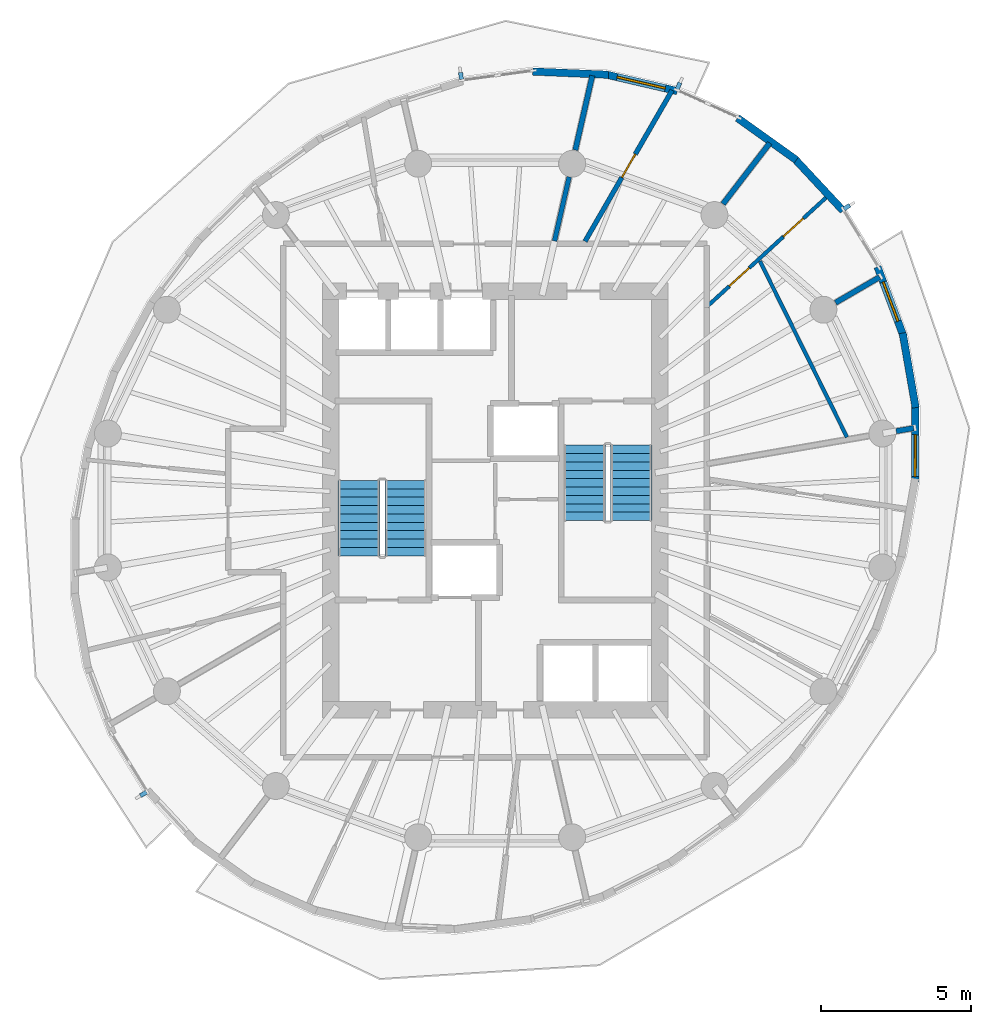
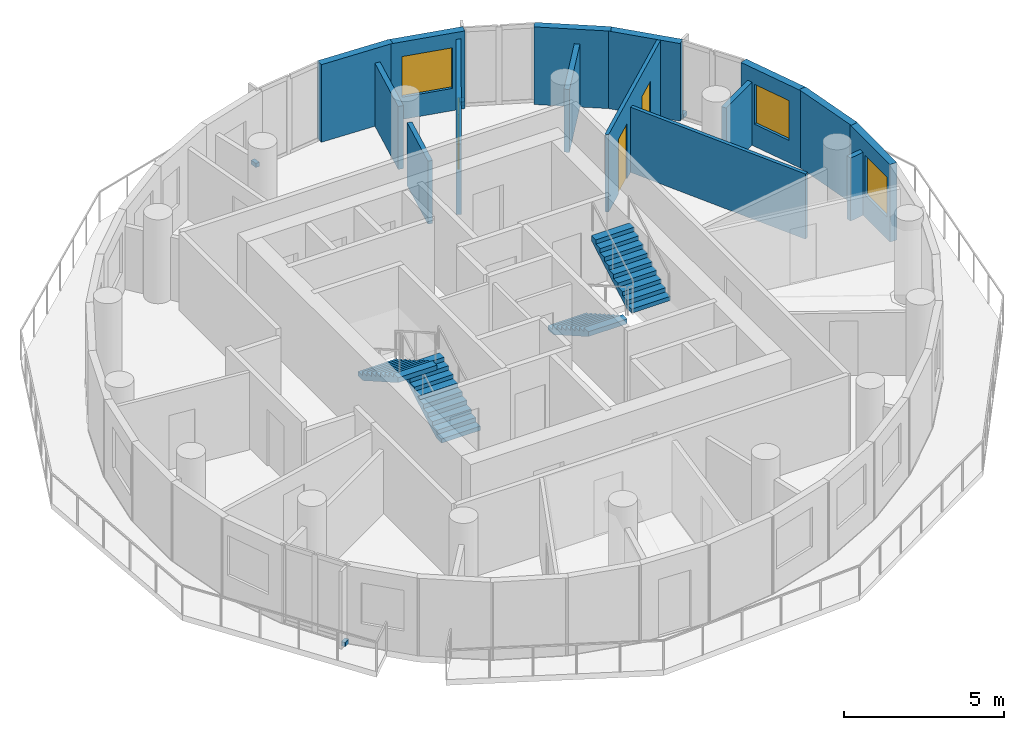
# One storey, part 7 of 10: 15 walls, 4 discrete accessories, 4 stair flights, 3 doors, 3 windows, 6 openings, 2 elements without a shape of their own.
"""IFC4 building model written with IfcOpenShell, lengths in metres."""

from ifc_helpers import new_model, si_unit, direction, frame, frame_2d, origin, origin_2d, place, context, subcontext, project, spatial, polyline, rectangle, outline, extrude, material, layer, layer_set, type_object, element, fill, aggregate, save


model = new_model("IFC4")

# Units and contexts
model_context = context("Model", 3, precision=1e-05, world=origin(), true_north=direction((0.0, 1.0)))
body_context = subcontext(model_context, "Body", "Model", "MODEL_VIEW")
ifc_project = project(units=[si_unit("LENGTHUNIT", "METRE"), si_unit("AREAUNIT", "SQUARE_METRE"), si_unit("VOLUMEUNIT", "CUBIC_METRE"), si_unit("PLANEANGLEUNIT", "RADIAN"), si_unit("MASSUNIT", "GRAM", prefix="KILO")], contexts=[model_context])

# Site, building, storey
site_placement = place(None, origin())
site = spatial("IfcSite", under=ifc_project, at=site_placement, CompositionType="ELEMENT")
building_placement = place(site_placement, origin())
building = spatial("IfcBuilding", under=site, at=building_placement, Name="Veldorim Arch Residences", CompositionType="ELEMENT")
storey_placement = place(building_placement, frame((0.0, 0.0, 198.239990234375)))
storey = spatial("IfcBuildingStorey", under=building, at=storey_placement, Name="L59", CompositionType="ELEMENT", Elevation=198.239990234375)

# Wall, openings, doors
ifc_material_1 = material(Name="Acoustic Gypsum Board", Category="gypsum")
ifc_layer_1 = layer(ifc_material_1, 0.125, Name="Acoustic Stud Room Partition Wall 125")
ifc_layer_set_1 = layer_set([ifc_layer_1], Name="Acoustic Gypsum Board")
wall_type_1 = type_object("IfcWallType", Name="Acoustic Stud Room Partition Wall 125", PredefinedType="PARTITIONING", material=ifc_layer_set_1)
wall_1_placement = place(storey_placement, frame((43.140380859375, 34.198486328125, 0.0), z_axis=(0.0, 0.0, 1.0), x_axis=(-0.737575567473, -0.675264601668, 0.0)))
wall_1 = element("IfcWall", 1, at=wall_1_placement, inside=storey, type_object=wall_type_1, Name="L59 interior wall WL-RES-L59-019", PredefinedType="PARTITIONING", context=body_context, shape_type="SweptSolid", body=[
    extrude(rectangle(XDim=5.5048828125, YDim=0.125, at=frame_2d((2.75244140625, 0.0))), origin(), (0.0, 0.0, 1.0), 2.955078125),
])
opening_1_placement = place(wall_1_placement, frame((1.13330078125, 0.0, 0.0)))
opening_1 = element("IfcOpeningElement", 2, at=opening_1_placement, cuts=wall_1, Name="Opening DR-INT", PredefinedType="OPENING", context=body_context, shape_type="SweptSolid", body=[
    extrude(rectangle(XDim=0.89990234375, YDim=2.10009765625, at=frame_2d((0.449951171875, 1.050048828125))), frame((0.0, 0.072509765625, 0.0), z_axis=(0.0, -1.0, 0.0), x_axis=(1.0, 0.0, 0.0)), (0.0, 0.0, 1.0), 0.14501953125),
])
opening_2_placement = place(wall_1_placement, frame((3.58544921875, 0.0, 0.0)))
opening_2 = element("IfcOpeningElement", 3, at=opening_2_placement, cuts=wall_1, Name="Opening DR-INT", PredefinedType="OPENING", context=body_context, shape_type="SweptSolid", body=[
    extrude(rectangle(XDim=0.89990234375, YDim=2.10009765625, at=frame_2d((0.449951171875, 1.050048828125))), frame((0.0, 0.072509765625, 0.0), z_axis=(0.0, -1.0, 0.0), x_axis=(1.0, 0.0, 0.0)), (0.0, 0.0, 1.0), 0.14501953125),
])
ifc_material_2 = material(Name="Engineered Timber", Category="wood")
door_type_1 = type_object("IfcDoorType", Name="Apartment Internal Room Timber Door 900x2100", OperationType="SINGLE_SWING_LEFT", PredefinedType="DOOR", material=ifc_material_2)
door_1_placement = place(opening_1_placement, origin())
door_1 = element("IfcDoor", 4, at=door_1_placement, inside=storey, type_object=door_type_1, Name="L59 interior door DR-RES-L59-009", OperationType="SINGLE_SWING_LEFT", OverallHeight=2.10009765625, OverallWidth=0.89990234375, PredefinedType="DOOR", context=body_context, shape_type="SweptSolid", body=[
    extrude(rectangle(XDim=0.89990234375, YDim=2.10009765625, at=frame_2d((0.449951171875, 1.050048828125))), frame((0.0, 0.02490234375, 0.0), z_axis=(0.0, -1.0, 0.0), x_axis=(1.0, 0.0, 0.0)), (0.0, 0.0, 1.0), 0.050048828125),
])
fill(opening_1, door_1)
door_2_placement = place(opening_2_placement, origin())
door_2 = element("IfcDoor", 5, at=door_2_placement, inside=storey, type_object=door_type_1, Name="L59 interior door DR-RES-L59-010", OperationType="SINGLE_SWING_RIGHT", OverallHeight=2.10009765625, OverallWidth=0.89990234375, PredefinedType="DOOR", context=body_context, shape_type="SweptSolid", body=[
    extrude(rectangle(XDim=0.89990234375, YDim=2.10009765625, at=frame_2d((0.449951171875, 1.050048828125))), frame((0.0, 0.02490234375, 0.0), z_axis=(0.0, -1.0, 0.0), x_axis=(1.0, 0.0, 0.0)), (0.0, 0.0, 1.0), 0.050048828125),
])
fill(opening_2, door_2)

# Walls
wall_2_placement = place(storey_placement, frame((43.7666015625, 26.11328125, 0.0), z_axis=(0.0, 0.0, 1.0), x_axis=(-0.443135854585, 0.89645446866, 0.0)))
element("IfcWall", 6, at=wall_2_placement, inside=storey, type_object=wall_type_1, Name="L59 interior wall WL-RES-L59-021", PredefinedType="PARTITIONING", context=body_context, shape_type="SweptSolid", body=[
    extrude(rectangle(XDim=6.5693359375, YDim=0.125, at=frame_2d((3.28466796875, 0.0))), origin(), (0.0, 0.0, 1.0), 2.488037109375),
])
ifc_material_3 = material(Name="Lightweight Masonry Block & Gypsum", Category="masonry")
ifc_layer_2 = layer(ifc_material_3, 0.179931640625, Name="Compartment & Corridor Fire-Rated Party Wall 180")
ifc_layer_set_2 = layer_set([ifc_layer_2], Name="Lightweight Masonry Block & Gypsum")
wall_type_2 = type_object("IfcWallType", Name="Compartment & Corridor Fire-Rated Party Wall 180", PredefinedType="PARTITIONING", material=ifc_layer_set_2)
wall_3_placement = place(storey_placement, frame((45.409423828125, 26.319580078125, 0.0), z_axis=(0.0, 0.0, 1.0), x_axis=(0.985338517658, 0.170610684362, 0.0)))
element("IfcWall", 7, at=wall_3_placement, inside=storey, type_object=wall_type_2, Name="L59 interior wall WL-PIER-L59-01", PredefinedType="PARTITIONING", context=body_context, shape_type="SweptSolid", body=[
    extrude(rectangle(XDim=0.592529296875, YDim=0.179931640625, at=frame_2d((0.29638671875, 0.0))), origin(), (0.0, 0.0, 1.0), 2.4033203125),
])
wall_4_placement = place(storey_placement, frame((43.3818359375, 30.614013671875, 0.0), z_axis=(0.0, 0.0, 1.0), x_axis=(0.864618511529, 0.502428929821, 0.0)))
element("IfcWall", 8, at=wall_4_placement, inside=storey, type_object=wall_type_2, Name="L59 interior wall WL-PIER-L59-02", PredefinedType="PARTITIONING", context=body_context, shape_type="SweptSolid", body=[
    extrude(rectangle(XDim=1.7060546875, YDim=0.179931640625, at=frame_2d((0.85302734375, 0.0))), origin(), (0.0, 0.0, 1.0), 2.4033203125),
])
wall_5_placement = place(storey_placement, frame((39.619873046875, 33.91796875, 0.0), z_axis=(0.0, 0.0, 1.0), x_axis=(0.60921849036, 0.79300241551, 0.0)))
element("IfcWall", 9, at=wall_5_placement, inside=storey, type_object=wall_type_2, Name="L59 interior wall WL-PIER-L59-03", PredefinedType="PARTITIONING", context=body_context, shape_type="SweptSolid", body=[
    extrude(rectangle(XDim=2.565185546875, YDim=0.179931640625, at=frame_2d((1.28271484375, 0.0))), origin(), (0.0, 0.0, 1.0), 2.4033203125),
])
wall_6_placement = place(storey_placement, frame((34.679931640625, 35.717529296875, 0.0), z_axis=(0.0, 0.0, 1.0), x_axis=(0.22299363946, 0.974819899654, 0.0)))
element("IfcWall", 10, at=wall_6_placement, inside=storey, type_object=wall_type_2, Name="L59 interior wall WL-PIER-L59-04", PredefinedType="PARTITIONING", context=body_context, shape_type="SweptSolid", body=[
    extrude(rectangle(XDim=2.552001953125, YDim=0.179931640625, at=frame_2d((1.27587890625, 0.0))), origin(), (0.0, 0.0, 1.0), 2.4033203125),
])
ifc_material_4 = material(Name="Precast concrete C40/50", Category="concrete")
ifc_layer_3 = layer(ifc_material_4, 0.25, Name="Tower Terracotta Spandrel & Pier Wall 250")
ifc_layer_set_3 = layer_set([ifc_layer_3], Name="Precast concrete C40/50")
wall_type_3 = type_object("IfcWallType", Name="Tower Terracotta Spandrel & Pier Wall 250", PredefinedType="SOLIDWALL", material=ifc_layer_set_3)
wall_7_placement = place(storey_placement, frame((40.106201171875, 36.788330078125, 0.0), z_axis=(0.0, 0.0, 1.0), x_axis=(0.813794949485, -0.581152114504, 0.0)))
element("IfcWall", 11, at=wall_7_placement, inside=storey, type_object=wall_type_3, Name="L59 terracotta facade wall 01", PredefinedType="SOLIDWALL", context=body_context, shape_type="SweptSolid", body=[
    extrude(rectangle(XDim=2.414794921875, YDim=0.25, at=frame_2d((1.20751953125, 0.0))), origin(), (0.0, 0.0, 1.0), 2.9599609375),
])

# Wall, opening, window
wall_8_placement = place(storey_placement, frame((35.676025390625, 38.252685546875, 0.0), z_axis=(0.0, 0.0, 1.0), x_axis=(0.974096425092, -0.226133046286, 0.0)))
wall_8 = element("IfcWall", 12, at=wall_8_placement, inside=storey, type_object=wall_type_3, Name="L59 terracotta facade wall 03", PredefinedType="SOLIDWALL", context=body_context, shape_type="SweptSolid", body=[
    extrude(rectangle(XDim=2.477783203125, YDim=0.25, at=frame_2d((1.23876953125, 0.0))), origin(), (0.0, 0.0, 1.0), 2.9599609375),
])
opening_3_placement = place(wall_8_placement, frame((0.4140625, 0.0, 0.85009765625)))
opening_3 = element("IfcOpeningElement", 13, at=opening_3_placement, cuts=wall_8, Name="Opening WN-03", PredefinedType="OPENING", context=body_context, shape_type="SweptSolid", body=[
    extrude(rectangle(XDim=1.64990234375, YDim=1.550048828125, at=frame_2d((0.824951171875, 0.77490234375))), frame((0.0, 0.135009765625, 0.0), z_axis=(0.0, -1.0, 0.0), x_axis=(1.0, 0.0, 0.0)), (0.0, 0.0, 1.0), 0.27001953125),
])
ifc_material_5 = material(Name="Laminated Low-E Glass", Category="glass")
window_type_1 = type_object("IfcWindowType", Name="Residential Wide Window 1650x1550", PartitioningType="SINGLE_PANEL", PredefinedType="WINDOW", material=ifc_material_5)
window_1_placement = place(opening_3_placement, origin())
window_1 = element("IfcWindow", 14, at=window_1_placement, inside=storey, type_object=window_type_1, Name="L59 solar-control facade window 03", OverallHeight=1.550048828125, OverallWidth=1.64990234375, PartitioningType="SINGLE_PANEL", PredefinedType="WINDOW", context=body_context, shape_type="SweptSolid", body=[
    extrude(rectangle(XDim=1.64990234375, YDim=1.550048828125, at=frame_2d((0.824951171875, 0.77490234375))), frame((0.0, 0.030029296875, 0.0), z_axis=(0.0, -1.0, 0.0), x_axis=(1.0, 0.0, 0.0)), (0.0, 0.0, 1.0), 0.06005859375),
])
fill(opening_3, window_1)

# Wall
wall_9_placement = place(storey_placement, frame((33.258056640625, 38.344970703125, 0.0), z_axis=(0.0, 0.0, 1.0), x_axis=(0.999099670747, -0.042424614469, 0.0)))
element("IfcWall", 15, at=wall_9_placement, inside=storey, type_object=wall_type_3, Name="L59 terracotta facade wall 04", PredefinedType="SOLIDWALL", context=body_context, shape_type="SweptSolid", body=[
    extrude(rectangle(XDim=2.531982421875, YDim=0.25, at=frame_2d((1.26611328125, 0.0))), origin(), (0.0, 0.0, 1.0), 2.9599609375),
])

# Wall, opening, window
wall_10_placement = place(storey_placement, frame((46.052001953125, 27.21630859375, 0.0), z_axis=(0.0, 0.0, 1.0), x_axis=(-0.004803561421, -0.999988462832, 0.0)))
wall_10 = element("IfcWall", 16, at=wall_10_placement, inside=storey, type_object=wall_type_3, Name="L59 terracotta facade wall 32", PredefinedType="SOLIDWALL", context=body_context, shape_type="SweptSolid", body=[
    extrude(rectangle(XDim=2.592041015625, YDim=0.25, at=frame_2d((1.2958984375, 0.0))), origin(), (0.0, 0.0, 1.0), 2.9599609375),
])
opening_4_placement = place(wall_10_placement, frame((1.01708984375, 0.0, 0.85009765625)))
opening_4 = element("IfcOpeningElement", 17, at=opening_4_placement, cuts=wall_10, Name="Opening WN-02", PredefinedType="OPENING", context=body_context, shape_type="SweptSolid", body=[
    extrude(rectangle(XDim=1.39990234375, YDim=1.52001953125, at=frame_2d((0.699951171875, 0.760009765625))), frame((0.0, 0.135009765625, 0.0), z_axis=(0.0, -1.0, 0.0), x_axis=(1.0, 0.0, 0.0)), (0.0, 0.0, 1.0), 0.27001953125),
])
ifc_material_6 = material(Name="Laminated Low-E Glass", Category="glass")
window_type_2 = type_object("IfcWindowType", Name="Residential Casement Window 1400x1550", PartitioningType="SINGLE_PANEL", PredefinedType="WINDOW", material=ifc_material_6)
window_2_placement = place(opening_4_placement, origin())
window_2 = element("IfcWindow", 18, at=window_2_placement, inside=storey, type_object=window_type_2, Name="L59 solar-control facade window 32", OverallHeight=1.52001953125, OverallWidth=1.39990234375, PartitioningType="SINGLE_PANEL", PredefinedType="WINDOW", context=body_context, shape_type="SweptSolid", body=[
    extrude(rectangle(XDim=1.39990234375, YDim=1.52001953125, at=frame_2d((0.699951171875, 0.760009765625))), frame((0.0, 0.030029296875, 0.0), z_axis=(0.0, -1.0, 0.0), x_axis=(1.0, 0.0, 0.0)), (0.0, 0.0, 1.0), 0.06005859375),
])
fill(opening_4, window_2)

# Wall
wall_11_placement = place(storey_placement, frame((45.627197265625, 29.599609375, 0.0), z_axis=(0.0, 0.0, 1.0), x_axis=(0.17143069214, -0.985196182388, 0.0)))
element("IfcWall", 19, at=wall_11_placement, inside=storey, type_object=wall_type_3, Name="L59 terracotta facade wall 33", PredefinedType="SOLIDWALL", context=body_context, shape_type="SweptSolid", body=[
    extrude(rectangle(XDim=2.5322265625, YDim=0.25, at=frame_2d((1.26611328125, 0.0))), origin(), (0.0, 0.0, 1.0), 2.9599609375),
])

# Wall, opening, window
wall_12_placement = place(storey_placement, frame((44.78857421875, 31.811279296875, 0.0), z_axis=(0.0, 0.0, 1.0), x_axis=(0.350367491805, -0.93661231077, 0.0)))
wall_12 = element("IfcWall", 20, at=wall_12_placement, inside=storey, type_object=wall_type_3, Name="L59 terracotta facade wall 34", PredefinedType="SOLIDWALL", context=body_context, shape_type="SweptSolid", body=[
    extrude(rectangle(XDim=2.477783203125, YDim=0.25, at=frame_2d((1.23876953125, 0.0))), origin(), (0.0, 0.0, 1.0), 2.9599609375),
])
opening_5_placement = place(wall_12_placement, frame((0.5390625, 0.0, 0.85009765625)))
opening_5 = element("IfcOpeningElement", 21, at=opening_5_placement, cuts=wall_12, Name="Opening WN-02", PredefinedType="OPENING", context=body_context, shape_type="SweptSolid", body=[
    extrude(rectangle(XDim=1.39990234375, YDim=1.52001953125, at=frame_2d((0.699951171875, 0.760009765625))), frame((0.0, 0.135009765625, 0.0), z_axis=(0.0, -1.0, 0.0), x_axis=(1.0, 0.0, 0.0)), (0.0, 0.0, 1.0), 0.27001953125),
])
window_3_placement = place(opening_5_placement, origin())
window_3 = element("IfcWindow", 22, at=window_3_placement, inside=storey, type_object=window_type_2, Name="L59 solar-control facade window 34", OverallHeight=1.52001953125, OverallWidth=1.39990234375, PartitioningType="SINGLE_PANEL", PredefinedType="WINDOW", context=body_context, shape_type="SweptSolid", body=[
    extrude(rectangle(XDim=1.39990234375, YDim=1.52001953125, at=frame_2d((0.699951171875, 0.760009765625))), frame((0.0, 0.030029296875, 0.0), z_axis=(0.0, -1.0, 0.0), x_axis=(1.0, 0.0, 0.0)), (0.0, 0.0, 1.0), 0.06005859375),
])
fill(opening_5, window_3)

# Wall
wall_13_placement = place(storey_placement, frame((41.985107421875, 35.460693359375, 0.0), z_axis=(0.0, 0.0, 1.0), x_axis=(0.681640731319, -0.731687032417, 0.0)))
element("IfcWall", 23, at=wall_13_placement, inside=storey, type_object=wall_type_3, Name="L59 terracotta facade wall 36", PredefinedType="SOLIDWALL", context=body_context, shape_type="SweptSolid", body=[
    extrude(rectangle(XDim=2.414794921875, YDim=0.25, at=frame_2d((1.20751953125, 0.0))), origin(), (0.0, 0.0, 1.0), 2.9599609375),
])

# Wall, opening, door
ifc_material_7 = material(Name="Moisture-Resistant Gypsum & Stud", Category="gypsum")
ifc_layer_4 = layer(ifc_material_7, 0.159912109375, Name="Wet-Area Moisture-Resistant Plumbing Wall 160")
ifc_layer_set_4 = layer_set([ifc_layer_4], Name="Moisture-Resistant Gypsum & Stud")
wall_type_4 = type_object("IfcWallType", Name="Wet-Area Moisture-Resistant Plumbing Wall 160", PredefinedType="PLUMBINGWALL", material=ifc_layer_set_4)
wall_14_placement = place(storey_placement, frame((35.00537109375, 32.66650390625, 0.0), z_axis=(0.0, 0.0, 1.0), x_axis=(0.499495237235, 0.866316632635, 0.0)))
wall_14 = element("IfcWall", 24, at=wall_14_placement, inside=storey, type_object=wall_type_4, Name="L59 interior wall WL-RES-L59-018", PredefinedType="PLUMBINGWALL", context=body_context, shape_type="SweptSolid", body=[
    extrude(rectangle(XDim=5.82958984375, YDim=0.159912109375, at=frame_2d((2.914794921875, 0.0))), origin(), (0.0, 0.0, 1.0), 2.69189453125),
])
opening_6_placement = place(wall_14_placement, frame((2.46484375, 0.0, 0.0)))
opening_6 = element("IfcOpeningElement", 25, at=opening_6_placement, cuts=wall_14, Name="Opening DR-WC", PredefinedType="OPENING", context=body_context, shape_type="SweptSolid", body=[
    extrude(rectangle(XDim=0.89990234375, YDim=2.10009765625, at=frame_2d((0.449951171875, 1.050048828125))), frame((0.0, 0.08984375, 0.0), z_axis=(0.0, -1.0, 0.0), x_axis=(1.0, 0.0, 0.0)), (0.0, 0.0, 1.0), 0.179931640625),
])
ifc_material_8 = material(Name="Laminate Timber", Category="wood")
door_type_2 = type_object("IfcDoorType", Name="Bathroom & Accessible WC Moisture-Sealed Door 900x2100", OperationType="SINGLE_SWING_LEFT", PredefinedType="DOOR", material=ifc_material_8)
door_3_placement = place(opening_6_placement, origin())
door_3 = element("IfcDoor", 26, at=door_3_placement, inside=storey, type_object=door_type_2, Name="L59 interior door DR-RES-L59-008", OperationType="SINGLE_SWING_RIGHT", OverallHeight=2.10009765625, OverallWidth=0.89990234375, PredefinedType="DOOR", context=body_context, shape_type="SweptSolid", body=[
    extrude(rectangle(XDim=0.89990234375, YDim=2.10009765625, at=frame_2d((0.449951171875, 1.050048828125))), frame((0.0, 0.02490234375, 0.0), z_axis=(0.0, -1.0, 0.0), x_axis=(1.0, 0.0, 0.0)), (0.0, 0.0, 1.0), 0.050048828125),
])
fill(opening_6, door_3)

# Wall
wall_15_placement = place(storey_placement, frame((33.984619140625, 32.677490234375, 0.0), z_axis=(0.0, 0.0, 1.0), x_axis=(0.222969522248, 0.974825416241, 0.0)))
element("IfcWall", 27, at=wall_15_placement, inside=storey, type_object=wall_type_4, Name="L59 interior wall WL-RES-L59-020", PredefinedType="PLUMBINGWALL", context=body_context, shape_type="SweptSolid", body=[
    extrude(rectangle(XDim=2.19873046875, YDim=0.159912109375, at=frame_2d((1.099365234375, 0.0))), origin(), (0.0, 0.0, 1.0), 2.4033203125),
])

# Stair, stair flights
ifc_material_9 = material(Name="Concrete C40/50", Category="concrete")
stair_type = type_object("IfcStairType", Name="Reinforced Concrete Dogleg Exit Staircase", PredefinedType="HALF_TURN_STAIR", material=ifc_material_9)
stair_1_placement = place(storey_placement, origin())
stair_1 = element("IfcStair", 28, at=stair_1_placement, inside=storey, type_object=stair_type, Name="L59 Exit Staircase ST-1", PredefinedType="HALF_TURN_STAIR")
ifc_material_10 = material(Name="Concrete C40/50", Category="concrete")
stair_flight_type = type_object("IfcStairFlightType", Name="Reinforced Concrete Stair Flight 1400", PredefinedType="STRAIGHT", material=ifc_material_10)
stair_flight_1_placement = place(storey_placement, frame((29.010009765625, 22.14990234375, 0.0), z_axis=(0.0, 0.0, 1.0), x_axis=(0.0, 1.0, 0.0)))
stair_flight_1 = element("IfcStairFlight", 29, at=stair_flight_1_placement, type_object=stair_flight_type, Name="ST-1 flight 1", NumberOfRisers=10, NumberOfTreads=9, PredefinedType="STRAIGHT", RiserHeight=0.16, TreadLength=0.28, context=body_context, shape_type="SweptSolid", body=[
    extrude(outline(polyline([(0.0, 0.0), (0.0, 0.159912109375), (0.280029296875, 0.159912109375), (0.280029296875, 0.320068359375), (0.56005859375, 0.320068359375), (0.56005859375, 0.47998046875), (0.840087890625, 0.47998046875), (0.840087890625, 0.639892578125), (1.1201171875, 0.639892578125), (1.1201171875, 0.800048828125), (1.39990234375, 0.800048828125), (1.39990234375, 0.9599609375), (1.679931640625, 0.9599609375), (1.679931640625, 1.1201171875), (1.9599609375, 1.1201171875), (1.9599609375, 1.280029296875), (2.239990234375, 1.280029296875), (2.239990234375, 1.43994140625), (2.52001953125, 1.43994140625), (2.52001953125, 1.60009765625), (2.52001953125, 1.255859375), (0.322265625, 0.0), (0.0, 0.0)])), frame((0.0, 0.699951171875, 0.0), z_axis=(0.0, -1.0, 0.0), x_axis=(1.0, 0.0, 0.0)), (0.0, 0.0, 1.0), 1.39990234375),
])
stair_flight_2_placement = place(storey_placement, frame((27.449951171875, 24.669921875, 1.60009765625), z_axis=(0.0, 0.0, 1.0), x_axis=(0.0, -1.0, 0.0)))
stair_flight_2 = element("IfcStairFlight", 30, at=stair_flight_2_placement, type_object=stair_flight_type, Name="ST-1 flight 2", NumberOfRisers=10, NumberOfTreads=9, PredefinedType="STRAIGHT", RiserHeight=0.16, TreadLength=0.28, context=body_context, shape_type="SweptSolid", body=[
    extrude(outline(polyline([(0.0, 0.0), (0.0, 0.159912109375), (0.280029296875, 0.159912109375), (0.280029296875, 0.320068359375), (0.56005859375, 0.320068359375), (0.56005859375, 0.47998046875), (0.840087890625, 0.47998046875), (0.840087890625, 0.639892578125), (1.1201171875, 0.639892578125), (1.1201171875, 0.800048828125), (1.39990234375, 0.800048828125), (1.39990234375, 0.9599609375), (1.679931640625, 0.9599609375), (1.679931640625, 1.1201171875), (1.9599609375, 1.1201171875), (1.9599609375, 1.280029296875), (2.239990234375, 1.280029296875), (2.239990234375, 1.43994140625), (2.52001953125, 1.43994140625), (2.52001953125, 1.60009765625), (2.52001953125, 1.255859375), (0.322265625, 0.0), (0.0, 0.0)])), frame((0.0, 0.699951171875, 0.0), z_axis=(0.0, -1.0, 0.0), x_axis=(1.0, 0.0, 0.0)), (0.0, 0.0, 1.0), 1.39990234375),
])
aggregate(stair_1, [stair_flight_1, stair_flight_2])

stair_2_placement = place(storey_placement, origin())
stair_2 = element("IfcStair", 31, at=stair_2_placement, inside=storey, type_object=stair_type, Name="L59 Exit Staircase ST-2", PredefinedType="HALF_TURN_STAIR")
stair_flight_3_placement = place(storey_placement, frame((34.989990234375, 25.85009765625, 0.0), z_axis=(0.0, 0.0, 1.0), x_axis=(0.0, -1.0, 0.0)))
stair_flight_3 = element("IfcStairFlight", 32, at=stair_flight_3_placement, type_object=stair_flight_type, Name="ST-2 flight 1", NumberOfRisers=10, NumberOfTreads=9, PredefinedType="STRAIGHT", RiserHeight=0.16, TreadLength=0.28, context=body_context, shape_type="SweptSolid", body=[
    extrude(outline(polyline([(0.0, 0.0), (0.0, 0.159912109375), (0.280029296875, 0.159912109375), (0.280029296875, 0.320068359375), (0.56005859375, 0.320068359375), (0.56005859375, 0.47998046875), (0.840087890625, 0.47998046875), (0.840087890625, 0.639892578125), (1.1201171875, 0.639892578125), (1.1201171875, 0.800048828125), (1.39990234375, 0.800048828125), (1.39990234375, 0.9599609375), (1.679931640625, 0.9599609375), (1.679931640625, 1.1201171875), (1.9599609375, 1.1201171875), (1.9599609375, 1.280029296875), (2.239990234375, 1.280029296875), (2.239990234375, 1.43994140625), (2.52001953125, 1.43994140625), (2.52001953125, 1.60009765625), (2.52001953125, 1.255859375), (0.322265625, 0.0), (0.0, 0.0)])), frame((0.0, 0.699951171875, 0.0), z_axis=(0.0, -1.0, 0.0), x_axis=(1.0, 0.0, 0.0)), (0.0, 0.0, 1.0), 1.39990234375),
])
stair_flight_4_placement = place(storey_placement, frame((36.550048828125, 23.330078125, 1.60009765625), z_axis=(0.0, 0.0, 1.0), x_axis=(0.0, 1.0, 0.0)))
stair_flight_4 = element("IfcStairFlight", 33, at=stair_flight_4_placement, type_object=stair_flight_type, Name="ST-2 flight 2", NumberOfRisers=10, NumberOfTreads=9, PredefinedType="STRAIGHT", RiserHeight=0.16, TreadLength=0.28, context=body_context, shape_type="SweptSolid", body=[
    extrude(outline(polyline([(0.0, 0.0), (0.0, 0.159912109375), (0.280029296875, 0.159912109375), (0.280029296875, 0.320068359375), (0.56005859375, 0.320068359375), (0.56005859375, 0.47998046875), (0.840087890625, 0.47998046875), (0.840087890625, 0.639892578125), (1.1201171875, 0.639892578125), (1.1201171875, 0.800048828125), (1.39990234375, 0.800048828125), (1.39990234375, 0.9599609375), (1.679931640625, 0.9599609375), (1.679931640625, 1.1201171875), (1.9599609375, 1.1201171875), (1.9599609375, 1.280029296875), (2.239990234375, 1.280029296875), (2.239990234375, 1.43994140625), (2.52001953125, 1.43994140625), (2.52001953125, 1.60009765625), (2.52001953125, 1.255859375), (0.322265625, 0.0), (0.0, 0.0)])), frame((0.0, 0.699951171875, 0.0), z_axis=(0.0, -1.0, 0.0), x_axis=(1.0, 0.0, 0.0)), (0.0, 0.0, 1.0), 1.39990234375),
])
aggregate(stair_2, [stair_flight_3, stair_flight_4])

# Discrete accessories
ifc_material_11 = material(Name="Stainless Steel", Category="steel")
discrete_accessory_type = type_object("IfcDiscreteAccessoryType", Name="Stainless Steel Facade Fin Anchor Bracket", PredefinedType="BRACKET", material=ifc_material_11)
for number, where, z_axis, x_axis, name in (
    (34, (38.1318359375, 37.861328125, -0.02001953125), (0.0, 0.0, 1.0), (0.912477494148, -0.409126902895, 0.0), "L59 stainless fin anchor bracket 02"),
    (35, (30.8583984375, 38.194091796875, -0.02001953125), (0.0, 0.0, 1.0), (0.990959799621, 0.134159142573, 0.0), "L59 stainless fin anchor bracket 05"),
    (36, (20.239501953125, 14.189697265625, -0.02001953125), (0.0, 0.0, 1.0), (-0.523837243597, 0.851818373963, 0.0), "L59 stainless fin anchor bracket 17"),
    (37, (43.760498046875, 33.810302734375, -0.02001953125), (0.0, 0.0, 1.0), (0.523837243597, -0.851818373963, 0.0), "L59 stainless fin anchor bracket 35"),
):
    element("IfcDiscreteAccessory", number, at=place(storey_placement, frame(where, z_axis=z_axis, x_axis=x_axis)), inside=storey, type_object=discrete_accessory_type, Name=name, PredefinedType="BRACKET", context=body_context, shape_type="SweptSolid", body=[
        extrude(rectangle(XDim=0.139892578125, YDim=0.239990234375, at=origin_2d()), origin(), (0.0, 0.0, 1.0), 0.159912109375),
    ])

save(model, "model.ifc")
